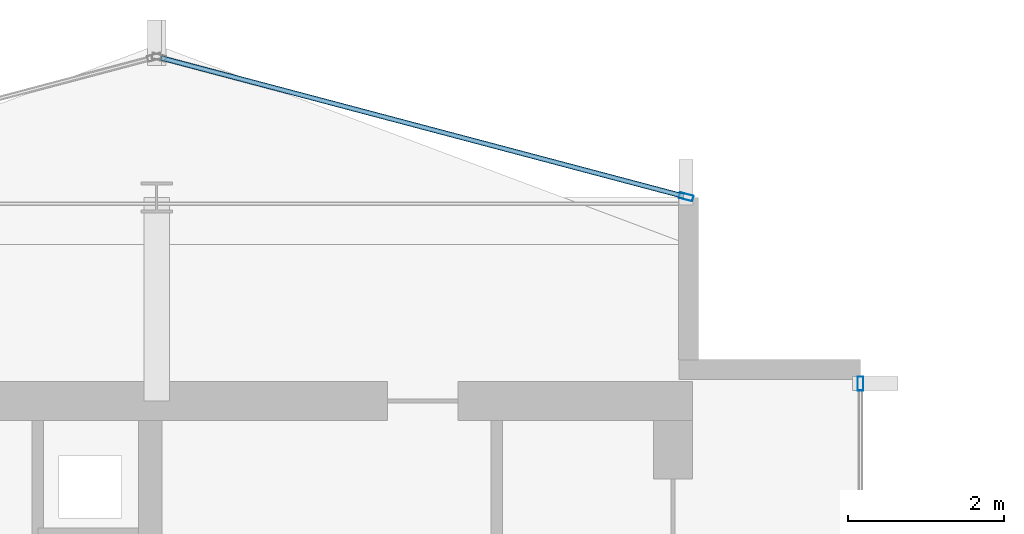
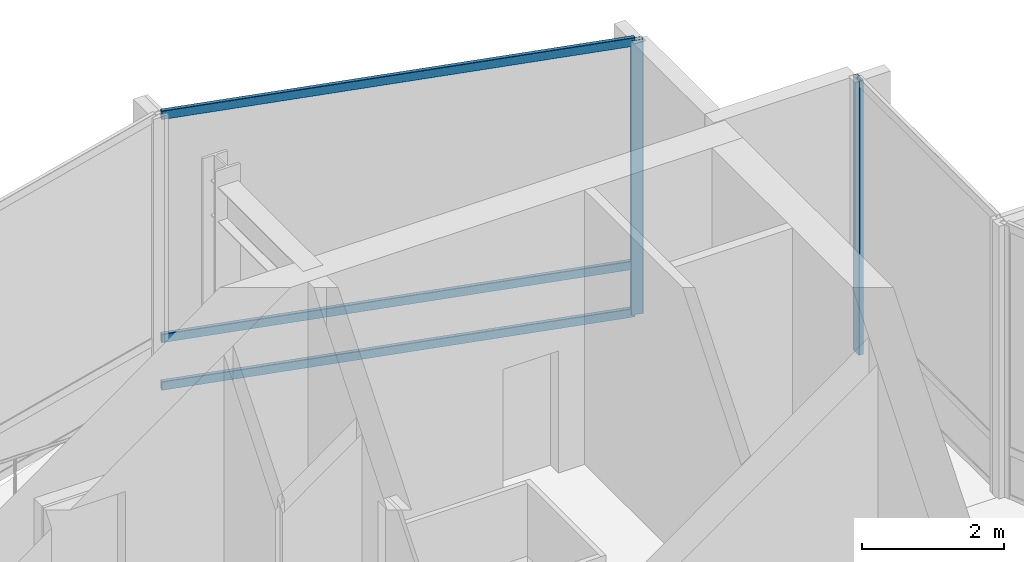
# One storey, part 18 of 28: 5 members, 2 elements without a shape of their own.
"""IFC4 building model written with IfcOpenShell, lengths in metres."""

from ifc_helpers import new_model, si_unit, direction, frame, origin, origin_2d, place, context, subcontext, project, spatial, hollow_rectangle, extrude, material, layer, layer_set, material_profile, profile_set, type_object, element, aggregate, save


model = new_model("IFC4")

# Units and contexts
model_context = context("Model", 3, precision=1e-05, world=origin(), true_north=direction((0.0, 1.0)))
body_context = subcontext(model_context, "Body", "Model", "MODEL_VIEW")
ifc_project = project(units=[si_unit("LENGTHUNIT", "METRE"), si_unit("AREAUNIT", "SQUARE_METRE"), si_unit("VOLUMEUNIT", "CUBIC_METRE"), si_unit("PLANEANGLEUNIT", "RADIAN"), si_unit("MASSUNIT", "GRAM", prefix="KILO")], contexts=[model_context])

# Site, building, storey
site_placement = place(None, origin())
site = spatial("IfcSite", under=ifc_project, at=site_placement, CompositionType="ELEMENT")
building_placement = place(site_placement, origin())
building = spatial("IfcBuilding", under=site, at=building_placement, Name="Solvaryn Broadcast Tower", CompositionType="ELEMENT")
storey_placement = place(building_placement, frame((0.0, 0.0, 201.199951171875)))
storey = spatial("IfcBuildingStorey", under=building, at=storey_placement, Name="L50", CompositionType="ELEMENT", Elevation=201.199951171875)

# Curtain wall, member
ifc_material_1 = material(Name="Aluminium and Terracotta Unitised Curtain Wall", Category="masonry")
ifc_layer = layer(ifc_material_1, 0.199951171875)
ifc_layer_set = layer_set([ifc_layer], Name="CW-SYS2-LOWMID")
curtain_wall_type = type_object("IfcCurtainWallType", Name="CW-SYS2-LOWMID", PredefinedType="NOTDEFINED", material=ifc_layer_set)
curtain_wall_1_placement = place(storey_placement, origin())
curtain_wall_1 = element("IfcCurtainWall", 1, at=curtain_wall_1_placement, inside=storey, type_object=curtain_wall_type, Name="L50 Curtain Wall IV", PredefinedType="NOTDEFINED")
ifc_material_2 = material(Name="Anodised Aluminium 6063-T6", Category="aluminium")
ifc_material_profile_1 = material_profile(ifc_material_2, hollow_rectangle(XDim=0.074951171875, YDim=0.179931640625, WallThickness=0.00390625, InnerFilletRadius=0.00390625, OuterFilletRadius=0.008056640625, at=origin_2d()))
ifc_profile_set_1 = profile_set([ifc_material_profile_1], Name="Anodised Aluminium 6063-T6")
member_type_1 = type_object("IfcMemberType", Name="CW-MUL-180", PredefinedType="MULLION", material=ifc_profile_set_1)
member_1_placement = place(storey_placement, frame((27.0, 42.6201171875, 0.0), z_axis=(0.0, 0.0, 1.0), x_axis=(1.0, 0.0, 0.0)))
member_1 = element("IfcMember", 2, at=member_1_placement, type_object=member_type_1, Name="CWS2 mullion 1", PredefinedType="MULLION", context=body_context, shape_type="SweptSolid", body=[
    extrude(hollow_rectangle(XDim=0.074951171875, YDim=0.179931640625, WallThickness=0.00390625, InnerFilletRadius=0.00390625, OuterFilletRadius=0.008056640625, at=origin_2d()), origin(), (0.0, 0.0, 1.0), 4.719970703125),
])
aggregate(curtain_wall_1, [member_1])

# Curtain wall, members
curtain_wall_2_placement = place(storey_placement, origin())
curtain_wall_2 = element("IfcCurtainWall", 3, at=curtain_wall_2_placement, inside=storey, type_object=curtain_wall_type, Name="L50 Curtain Wall NT1", PredefinedType="NOTDEFINED")
member_2_placement = place(storey_placement, frame((24.77099609375, 45.007568359375, 0.0), z_axis=(0.0, 0.0, 1.0), x_axis=(-0.25589256031, -0.966705227863, 0.0)))
member_2 = element("IfcMember", 4, at=member_2_placement, type_object=member_type_1, Name="CWS2 mullion 1", PredefinedType="MULLION", context=body_context, shape_type="SweptSolid", body=[
    extrude(hollow_rectangle(XDim=0.074951171875, YDim=0.179931640625, WallThickness=0.00390625, InnerFilletRadius=0.00390625, OuterFilletRadius=0.008056640625, at=origin_2d()), origin(), (0.0, 0.0, 1.0), 4.719970703125),
])
ifc_material_3 = material(Name="Anodised Aluminium 6063-T6", Category="aluminium")
ifc_material_profile_2 = material_profile(ifc_material_3, hollow_rectangle(XDim=0.06494140625, YDim=0.14990234375, WallThickness=0.00390625, InnerFilletRadius=0.00390625, OuterFilletRadius=0.008056640625, at=origin_2d()))
ifc_profile_set_2 = profile_set([ifc_material_profile_2], Name="Anodised Aluminium 6063-T6")
member_type_2 = type_object("IfcMemberType", Name="CW-TRN-150", PredefinedType="USERDEFINED", material=ifc_profile_set_2)
member_3_placement = place(storey_placement, frame((24.741943359375, 45.015380859375, 0.030029296875), z_axis=(-0.966703943301, 0.255897413051, 0.0), x_axis=(-0.255897413051, -0.966703943301, 0.0)))
member_3 = element("IfcMember", 5, at=member_3_placement, type_object=member_type_2, Name="CWS2 transom 1.1", ObjectType="TRANSOM", PredefinedType="USERDEFINED", context=body_context, shape_type="SweptSolid", body=[
    extrude(hollow_rectangle(XDim=0.06494140625, YDim=0.14990234375, WallThickness=0.00390625, InnerFilletRadius=0.00390625, OuterFilletRadius=0.008056640625, at=origin_2d()), origin(), (0.0, 0.0, 1.0), 6.9140625),
])
member_4_placement = place(storey_placement, frame((24.741943359375, 45.015380859375, 0.85009765625), z_axis=(-0.966703943301, 0.255897413051, 0.0), x_axis=(-0.255897413051, -0.966703943301, 0.0)))
member_4 = element("IfcMember", 6, at=member_4_placement, type_object=member_type_2, Name="CWS2 transom 1.2", ObjectType="TRANSOM", PredefinedType="USERDEFINED", context=body_context, shape_type="SweptSolid", body=[
    extrude(hollow_rectangle(XDim=0.06494140625, YDim=0.14990234375, WallThickness=0.00390625, InnerFilletRadius=0.00390625, OuterFilletRadius=0.008056640625, at=origin_2d()), origin(), (0.0, 0.0, 1.0), 6.9140625),
])
member_5_placement = place(storey_placement, frame((24.741943359375, 45.015380859375, 4.68994140625), z_axis=(-0.966703943301, 0.255897413051, 0.0), x_axis=(-0.255897413051, -0.966703943301, 0.0)))
member_5 = element("IfcMember", 7, at=member_5_placement, type_object=member_type_2, Name="CWS2 transom 1.3", ObjectType="TRANSOM", PredefinedType="USERDEFINED", context=body_context, shape_type="SweptSolid", body=[
    extrude(hollow_rectangle(XDim=0.06494140625, YDim=0.14990234375, WallThickness=0.00390625, InnerFilletRadius=0.00390625, OuterFilletRadius=0.008056640625, at=origin_2d()), origin(), (0.0, 0.0, 1.0), 6.9140625),
])
aggregate(curtain_wall_2, [member_2, member_3, member_4, member_5])

save(model, "model.ifc")
